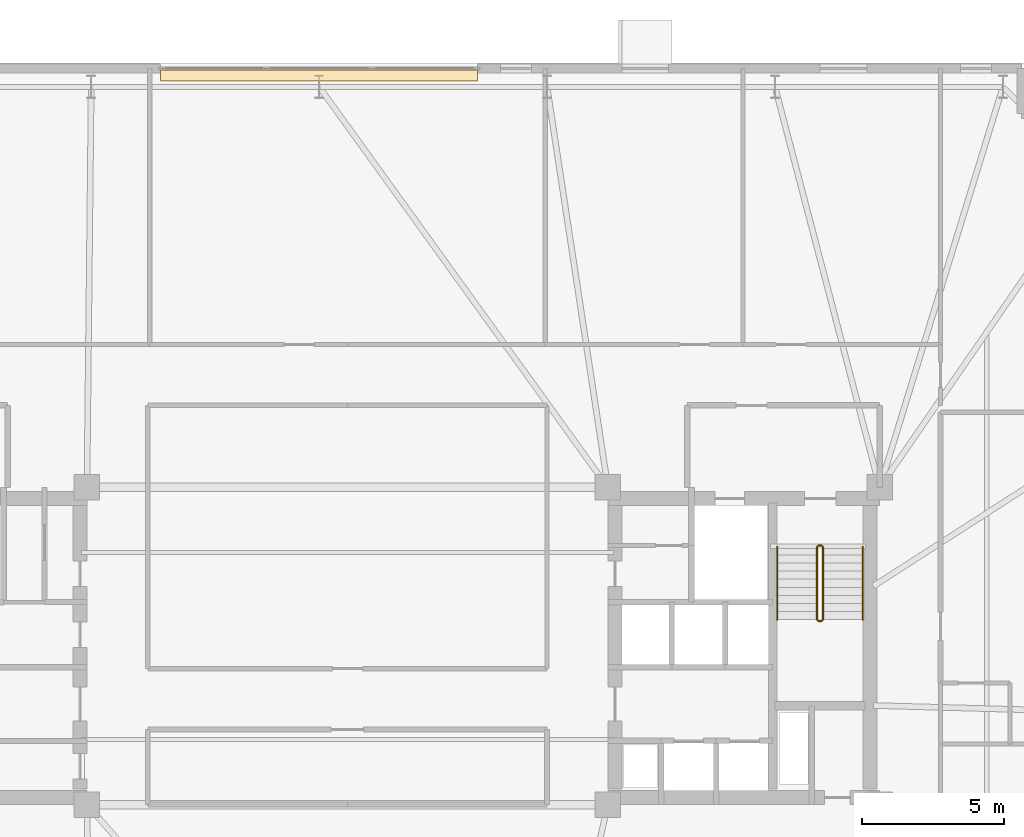
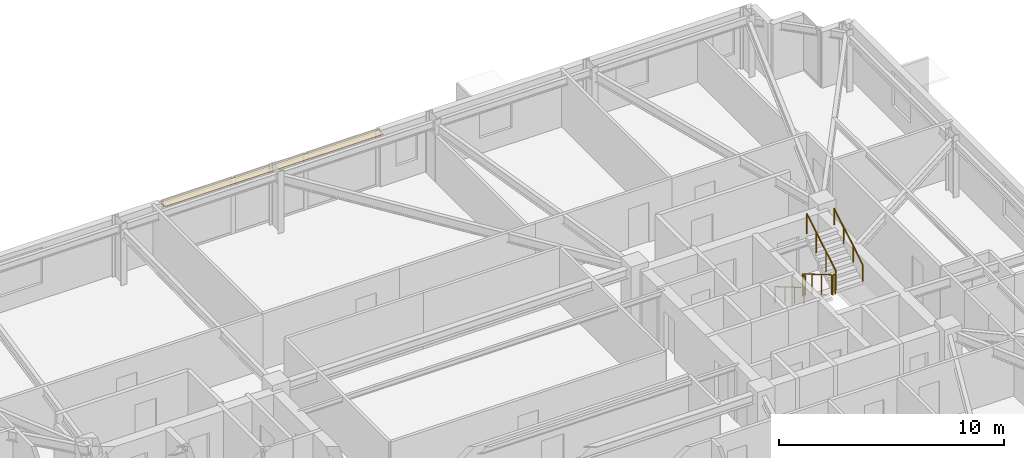
# One storey, part 18 of 18: 6 railings, 1 covering.
"""IFC4 building model written with IfcOpenShell, lengths in metres."""

from ifc_helpers import new_model, si_unit, direction, frame, origin, origin_2d, place, context, subcontext, project, spatial, polyline, circle, outline, extrude, material, layer, layer_set, type_object, element, save


model = new_model("IFC4")

# Units and contexts
model_context = context("Model", 3, precision=1e-05, world=origin(), true_north=direction((0.0, 1.0)))
body_context = subcontext(model_context, "Body", "Model", "MODEL_VIEW")
ifc_project = project(units=[si_unit("LENGTHUNIT", "METRE"), si_unit("AREAUNIT", "SQUARE_METRE"), si_unit("VOLUMEUNIT", "CUBIC_METRE"), si_unit("PLANEANGLEUNIT", "RADIAN"), si_unit("MASSUNIT", "GRAM", prefix="KILO")], contexts=[model_context])

# Site, building, storey
site_placement = place(None, origin())
site = spatial("IfcSite", under=ifc_project, at=site_placement, CompositionType="ELEMENT")
building_placement = place(site_placement, origin())
building = spatial("IfcBuilding", under=site, at=building_placement, Name="Qobustan Lattice House", CompositionType="ELEMENT")
storey_placement = place(building_placement, frame((0.0, 0.0, 151.10009765625)))
storey = spatial("IfcBuildingStorey", under=building, at=storey_placement, Name="L42", CompositionType="ELEMENT", Elevation=151.10009765625)

# Covering
ifc_material_1 = material(Name="Persian walnut timber lining", Category="wood")
ifc_layer = layer(ifc_material_1, 0.0380859375)
ifc_layer_set = layer_set([ifc_layer], Name="Persian walnut timber lining")
covering_type = type_object("IfcCoveringType", Name="COV-WALNUT-IWAN", PredefinedType="CLADDING", material=ifc_layer_set)
covering_placement = place(storey_placement, frame((0.0, 0.0, 3.001953125)))
element("IfcCovering", 1, at=covering_placement, inside=storey, type_object=covering_type, Name="L42 IWAN-3 Persian walnut soffit cladding", PredefinedType="CLADDING", context=body_context, shape_type="SweptSolid", body=[
    extrude(outline(polyline([(-6.60009765625, 20.35009765625), (4.60009765625, 20.35009765625), (4.60009765625, 19.949951171875), (-6.60009765625, 19.949951171875), (-6.60009765625, 20.35009765625)])), origin(), (0.0, 0.0, 1.0), 0.037841796875),
])

# Railings
ifc_material_2 = material(Name="Brushed stainless steel handrail", Category="steel")
railing_type_1 = type_object("IfcRailingType", Name="RAL-HR-920", PredefinedType="HANDRAIL", material=ifc_material_2)
railing_1_placement = place(storey_placement, frame((15.179931640625, 3.5, 0.16748046875)))
element("IfcRailing", 2, at=railing_1_placement, inside=storey, type_object=railing_type_1, Name="L42 ST-E1 stair handrail 1", PredefinedType="HANDRAIL", context=body_context, shape_type="SweptSolid", body=[
    extrude(circle(Radius=0.02392578125, at=origin_2d()), frame((0.0, 0.0, 0.8759765625), z_axis=(0.0, -0.862149314443, 0.506654280161), x_axis=(1.0, 0.0, 0.0)), (0.0, 0.0, 1.0), 2.97509765625),
    extrude(circle(Radius=0.02099609375, at=origin_2d()), origin(), (0.0, 0.0, 1.0), 0.851806640625),
    extrude(circle(Radius=0.02099609375, at=origin_2d()), frame((0.0, -0.85498046875, 0.50244140625)), (0.0, 0.0, 1.0), 0.851806640625),
    extrude(circle(Radius=0.02099609375, at=origin_2d()), frame((0.0, -1.7099609375, 1.0048828125)), (0.0, 0.0, 1.0), 0.851806640625),
    extrude(circle(Radius=0.02099609375, at=origin_2d()), frame((0.0, -2.56494140625, 1.50732421875)), (0.0, 0.0, 1.0), 0.851806640625),
])
railing_2_placement = place(storey_placement, frame((18.199951171875, 0.93505859375, 1.84228515625)))
element("IfcRailing", 3, at=railing_2_placement, inside=storey, type_object=railing_type_1, Name="L42 ST-E1 stair handrail 2", PredefinedType="HANDRAIL", context=body_context, shape_type="SweptSolid", body=[
    extrude(circle(Radius=0.02392578125, at=origin_2d()), frame((0.0, 0.0, 0.8759765625), z_axis=(0.0, 0.862113467892, 0.50671527358), x_axis=(-1.0, 0.0, 0.0)), (0.0, 0.0, 1.0), 2.97509765625),
    extrude(circle(Radius=0.02099609375, at=origin_2d()), origin(), (0.0, 0.0, 1.0), 0.851806640625),
    extrude(circle(Radius=0.02099609375, at=origin_2d()), frame((0.0, 0.85498046875, 0.50244140625)), (0.0, 0.0, 1.0), 0.851806640625),
    extrude(circle(Radius=0.02099609375, at=origin_2d()), frame((0.0, 1.7099609375, 1.005126953125)), (0.0, 0.0, 1.0), 0.851806640625),
    extrude(circle(Radius=0.02099609375, at=origin_2d()), frame((0.0, 2.56494140625, 1.507568359375)), (0.0, 0.0, 1.0), 0.851806640625),
])
ifc_material_3 = material(Name="Painted galvanized steel guardrail", Category="steel")
railing_type_2 = type_object("IfcRailingType", Name="RAL-STG-1150", PredefinedType="GUARDRAIL", material=ifc_material_3)
railing_3_placement = place(storey_placement, frame((16.580078125, 3.5, 0.16748046875)))
element("IfcRailing", 4, at=railing_3_placement, inside=storey, type_object=railing_type_2, Name="L42 ST-E1 stair guard 1", PredefinedType="GUARDRAIL", context=body_context, shape_type="SweptSolid", body=[
    extrude(circle(Radius=0.02392578125, at=origin_2d()), frame((0.0, 0.0, 1.076171875), z_axis=(0.0, -0.862149314443, 0.506654280161), x_axis=(1.0, 0.0, 0.0)), (0.0, 0.0, 1.0), 2.97509765625),
    extrude(circle(Radius=0.02099609375, at=origin_2d()), origin(), (0.0, 0.0, 1.0), 1.052001953125),
    extrude(circle(Radius=0.02099609375, at=origin_2d()), frame((0.0, -0.85498046875, 0.50244140625)), (0.0, 0.0, 1.0), 1.052001953125),
    extrude(circle(Radius=0.02099609375, at=origin_2d()), frame((0.0, -1.7099609375, 1.0048828125)), (0.0, 0.0, 1.0), 1.052001953125),
    extrude(circle(Radius=0.02099609375, at=origin_2d()), frame((0.0, -2.56494140625, 1.50732421875)), (0.0, 0.0, 1.0), 1.052001953125),
])
railing_4_placement = place(storey_placement, frame((16.6298828125, 0.885009765625, 1.6748046875)))
element("IfcRailing", 5, at=railing_4_placement, inside=storey, type_object=railing_type_2, Name="L42 ST-E1 stair guard 2", PredefinedType="GUARDRAIL", context=body_context, shape_type="SweptSolid", body=[
    extrude(circle(Radius=0.02392578125, at=origin_2d()), frame((0.0, 0.0, 1.076171875), z_axis=(1.0, 0.0, 0.0), x_axis=(0.0, 1.0, 0.0)), (0.0, 0.0, 1.0), 0.1201171875),
    extrude(circle(Radius=0.02099609375, at=origin_2d()), origin(), (0.0, 0.0, 1.0), 1.052001953125),
    extrude(circle(Radius=0.02099609375, at=origin_2d()), frame((0.1201171875, 0.0, 0.0)), (0.0, 0.0, 1.0), 1.052001953125),
])
railing_5_placement = place(storey_placement, frame((16.800048828125, 0.93505859375, 1.84228515625)))
element("IfcRailing", 6, at=railing_5_placement, inside=storey, type_object=railing_type_2, Name="L42 ST-E1 stair guard 3", PredefinedType="GUARDRAIL", context=body_context, shape_type="SweptSolid", body=[
    extrude(circle(Radius=0.02392578125, at=origin_2d()), frame((0.0, 0.0, 1.076171875), z_axis=(0.0, 0.862113467892, 0.50671527358), x_axis=(-1.0, 0.0, 0.0)), (0.0, 0.0, 1.0), 2.97509765625),
    extrude(circle(Radius=0.02099609375, at=origin_2d()), origin(), (0.0, 0.0, 1.0), 1.052001953125),
    extrude(circle(Radius=0.02099609375, at=origin_2d()), frame((0.0, 0.85498046875, 0.50244140625)), (0.0, 0.0, 1.0), 1.052001953125),
    extrude(circle(Radius=0.02099609375, at=origin_2d()), frame((0.0, 1.7099609375, 1.005126953125)), (0.0, 0.0, 1.0), 1.052001953125),
    extrude(circle(Radius=0.02099609375, at=origin_2d()), frame((0.0, 2.56494140625, 1.507568359375)), (0.0, 0.0, 1.0), 1.052001953125),
])
railing_6_placement = place(storey_placement, frame((16.6298828125, 3.550048828125, 0.0)))
element("IfcRailing", 7, at=railing_6_placement, inside=storey, type_object=railing_type_2, Name="L42 ST-E1 stair guard 4", PredefinedType="GUARDRAIL", context=body_context, shape_type="SweptSolid", body=[
    extrude(circle(Radius=0.02392578125, at=origin_2d()), frame((0.0, 0.0, 1.076171875), z_axis=(1.0, 0.0, 0.0), x_axis=(0.0, 1.0, 0.0)), (0.0, 0.0, 1.0), 0.1201171875),
    extrude(circle(Radius=0.02099609375, at=origin_2d()), origin(), (0.0, 0.0, 1.0), 1.052001953125),
    extrude(circle(Radius=0.02099609375, at=origin_2d()), frame((0.1201171875, 0.0, 0.0)), (0.0, 0.0, 1.0), 1.052001953125),
])

save(model, "model.ifc")
